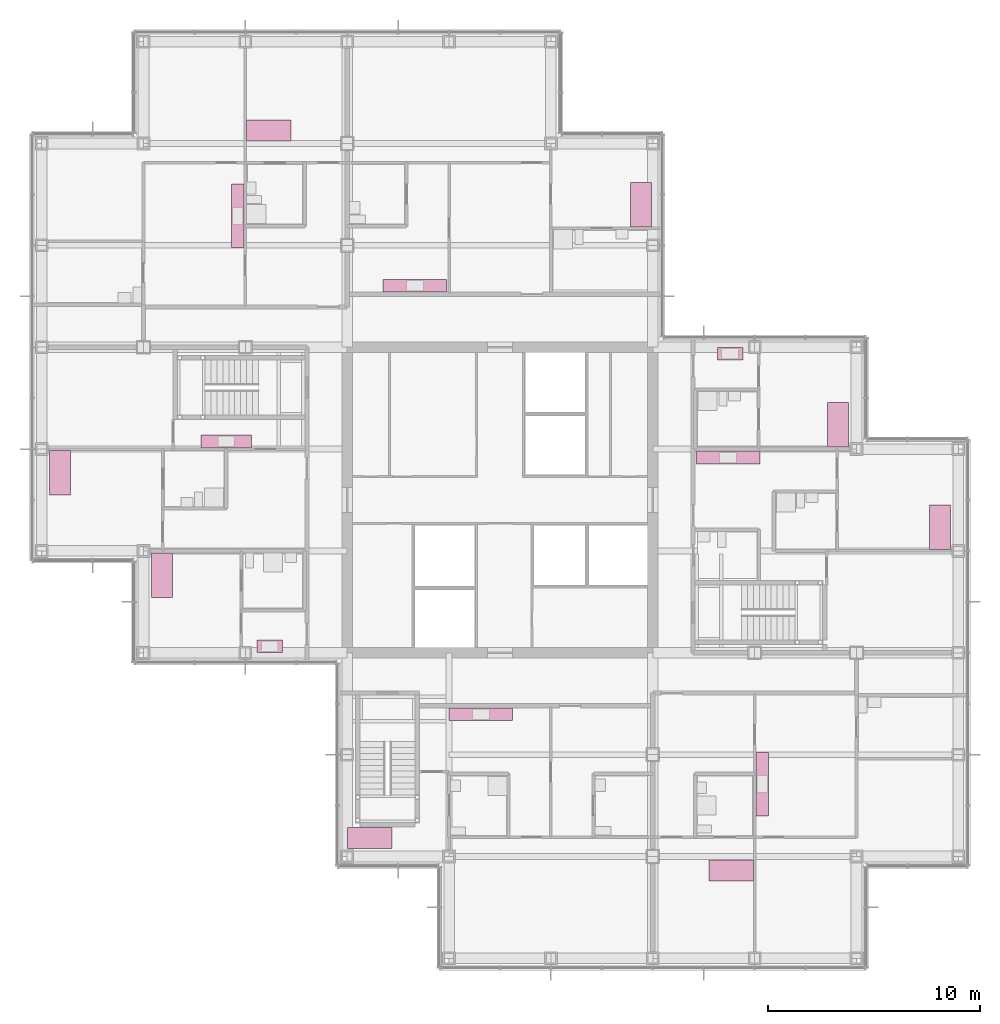
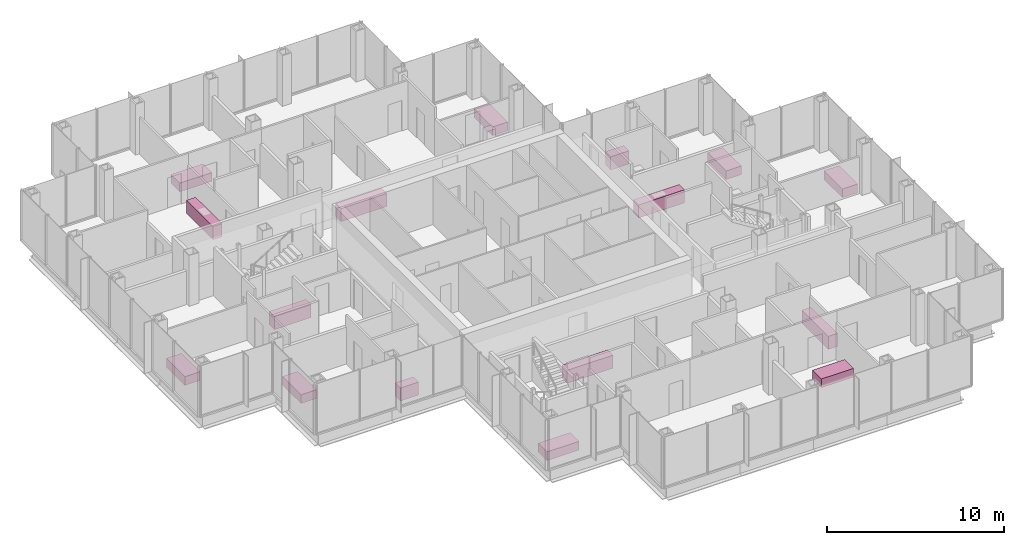
# One storey, part 19 of 19: 16 furniture elements.
"""IFC4 building model written with IfcOpenShell, lengths in metres."""

from ifc_helpers import new_model, si_unit, direction, frame, origin, origin_2d, place, context, subcontext, project, spatial, rectangle, extrude, material, type_object, element, save


model = new_model("IFC4")

# Units and contexts
model_context = context("Model", 3, precision=1e-05, world=origin(), true_north=direction((0.0, 1.0)))
body_context = subcontext(model_context, "Body", "Model", "MODEL_VIEW")
ifc_project = project(units=[si_unit("LENGTHUNIT", "METRE"), si_unit("AREAUNIT", "SQUARE_METRE"), si_unit("VOLUMEUNIT", "CUBIC_METRE"), si_unit("PLANEANGLEUNIT", "RADIAN"), si_unit("MASSUNIT", "GRAM", prefix="KILO")], contexts=[model_context])

# Site, building, storey
site_placement = place(None, origin())
site = spatial("IfcSite", under=ifc_project, at=site_placement, CompositionType="ELEMENT")
building_placement = place(site_placement, origin())
building = spatial("IfcBuilding", under=site, at=building_placement, Name="Kvirike Care Tower", CompositionType="ELEMENT")
storey_placement = place(building_placement, frame((0.0, 0.0, 129.5)))
storey = spatial("IfcBuildingStorey", under=building, at=storey_placement, Name="L35", CompositionType="ELEMENT", Elevation=129.5)

# Furniture
ifc_material_1 = material(Name="Steel frame", Category="steel")
furniture_type_1 = type_object("IfcFurnitureType", Name="CARE BED 1000 x 2100", AssemblyPlace="FACTORY", PredefinedType="BED", material=ifc_material_1)
for number, where, z_axis, x_axis, name in (
    (1, (0.8701171875, 37.2880859375, 0.0), (0.0, 0.0, 1.0), (1.0, 0.0, 0.0), "Care bed L35-004"),
    (2, (5.669921875, 32.447998046875, 0.0), (0.0, 0.0, 1.0), (1.0, 0.0, 0.0), "Care bed L35-008"),
    (3, (10.7119140625, 53.409912109375, 0.0), (0.0, 0.0, 1.0), (0.0, 1.0, 0.0), "Care bed L35-012"),
    (4, (15.451904296875, 20.070068359375, 0.0), (0.0, 0.0, 1.0), (0.0, 1.0, 0.0), "Care bed L35-020"),
    (5, (28.25, 49.912109375, 0.0), (0.0, 0.0, 1.0), (-1.0, 0.0, 0.0), "Care bed L35-027"),
    (6, (32.488037109375, 18.5400390625, 0.0), (0.0, 0.0, 1.0), (0.0, -1.0, 0.0), "Care bed L35-034"),
    (7, (42.330078125, 34.7119140625, 0.0), (0.0, 0.0, 1.0), (-1.0, 0.0, 0.0), "Care bed L35-043"),
    (8, (37.530029296875, 39.552001953125, 0.0), (0.0, 0.0, 1.0), (-1.0, 0.0, 0.0), "Care bed L35-047"),
):
    element("IfcFurniture", number, at=place(storey_placement, frame(where, z_axis=z_axis, x_axis=x_axis)), inside=storey, type_object=furniture_type_1, Name=name, PredefinedType="BED", context=body_context, shape_type="SweptSolid", body=[
        extrude(rectangle(XDim=1.0, YDim=2.10009765625, at=origin_2d()), origin(), (0.0, 0.0, 1.0), 0.60009765625),
    ])
ifc_material_2 = material(Name="Laminated board", Category="wood")
furniture_type_2 = type_object("IfcFurnitureType", Name="KITCHEN UNIT RUN 600", AssemblyPlace="FACTORY", PredefinedType="USERDEFINED", material=ifc_material_2)
furniture_1_placement = place(storey_placement, frame((8.699951171875, 38.761962890625, 0.0), z_axis=(0.0, 0.0, 1.0), x_axis=(-1.0, 0.0, 0.0)))
element("IfcFurniture", 9, at=furniture_1_placement, inside=storey, type_object=furniture_type_2, Name="Kitchen unit run L35-006", ObjectType="KITCHEN UNIT", PredefinedType="USERDEFINED", context=body_context, shape_type="SweptSolid", body=[
    extrude(rectangle(XDim=2.39990234375, YDim=0.60009765625, at=origin_2d()), origin(), (0.0, 0.0, 1.0), 0.89990234375),
])
furniture_2_placement = place(storey_placement, frame((10.75, 29.10205078125, 0.0), z_axis=(0.0, 0.0, 1.0), x_axis=(-1.0, 0.0, 0.0)))
element("IfcFurniture", 10, at=furniture_2_placement, inside=storey, type_object=furniture_type_2, Name="Kitchen unit run L35-010", ObjectType="KITCHEN UNIT", PredefinedType="USERDEFINED", context=body_context, shape_type="SweptSolid", body=[
    extrude(rectangle(XDim=1.199951171875, YDim=0.60009765625, at=origin_2d()), origin(), (0.0, 0.0, 1.0), 0.89990234375),
])
for number, where, z_axis, x_axis, name in (
    (11, (9.238037109375, 49.389892578125, 0.0), (0.0, 0.0, 1.0), (0.0, -1.0, 0.0), "Kitchen unit run L35-017"),
    (12, (20.699951171875, 25.89794921875, 0.0), (0.0, 0.0, 1.0), (1.0, 0.0, 0.0), "Kitchen unit run L35-024"),
    (13, (17.590087890625, 46.10205078125, 0.0), (0.0, 0.0, 1.0), (-1.0, 0.0, 0.0), "Kitchen unit run L35-032"),
    (14, (33.9619140625, 22.610107421875, 0.0), (0.0, 0.0, 1.0), (0.0, 1.0, 0.0), "Kitchen unit run L35-039"),
    (15, (32.35009765625, 37.998046875, 0.0), (0.0, 0.0, 1.0), (1.0, 0.0, 0.0), "Kitchen unit run L35-046"),
):
    element("IfcFurniture", number, at=place(storey_placement, frame(where, z_axis=z_axis, x_axis=x_axis)), inside=storey, type_object=furniture_type_2, Name=name, ObjectType="KITCHEN UNIT", PredefinedType="USERDEFINED", context=body_context, shape_type="SweptSolid", body=[
        extrude(rectangle(XDim=3.0, YDim=0.60009765625, at=origin_2d()), origin(), (0.0, 0.0, 1.0), 0.89990234375),
    ])
furniture_3_placement = place(storey_placement, frame((32.449951171875, 42.89794921875, 0.0), z_axis=(0.0, 0.0, 1.0), x_axis=(1.0, 0.0, 0.0)))
element("IfcFurniture", 16, at=furniture_3_placement, inside=storey, type_object=furniture_type_2, Name="Kitchen unit run L35-049", ObjectType="KITCHEN UNIT", PredefinedType="USERDEFINED", context=body_context, shape_type="SweptSolid", body=[
    extrude(rectangle(XDim=1.199951171875, YDim=0.60009765625, at=origin_2d()), origin(), (0.0, 0.0, 1.0), 0.89990234375),
])

save(model, "model.ifc")
